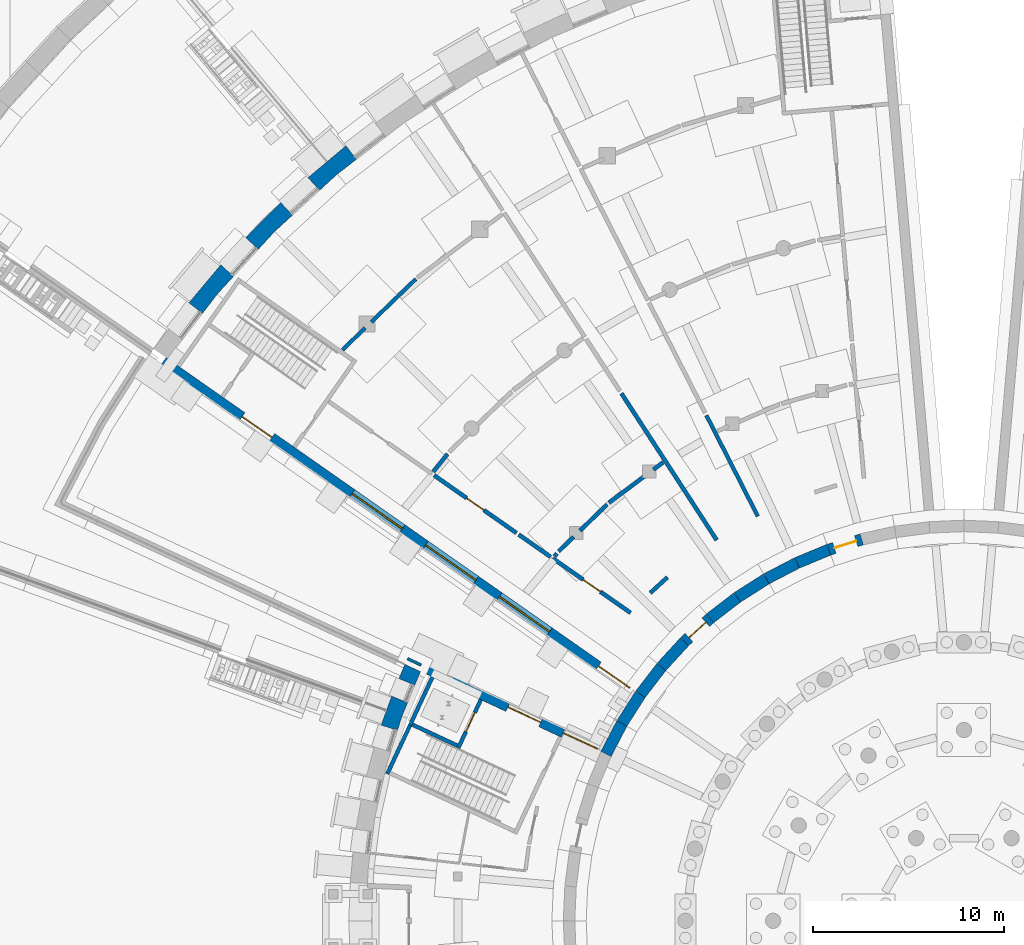
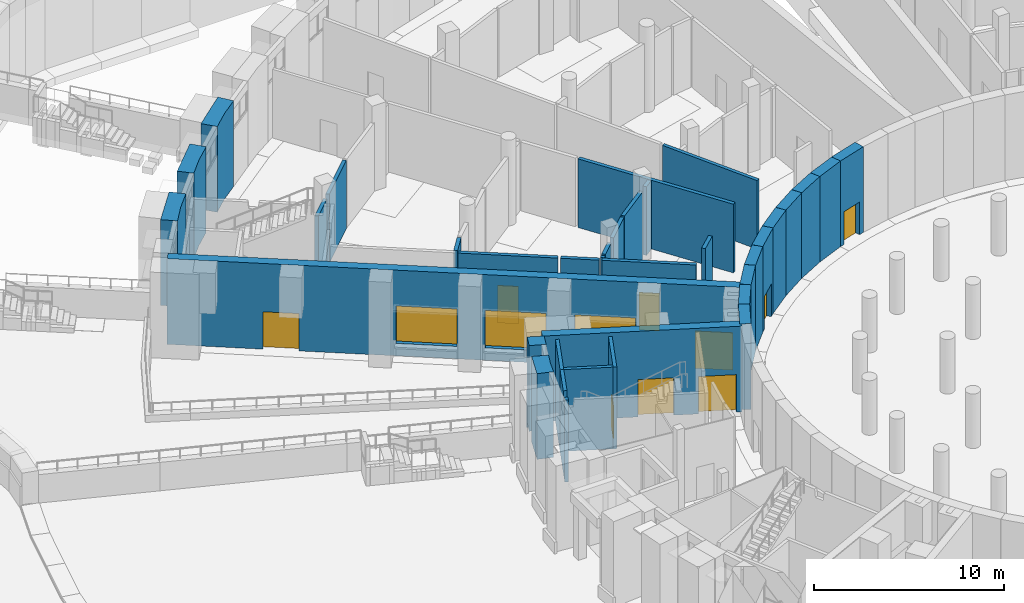
# One storey, part 44 of 65: 36 walls, 9 doors, 3 windows, 12 openings.
"""IFC4 building model written with IfcOpenShell, lengths in metres."""

import ifcopenshell
import ifcopenshell.guid

model = None  # the IFC model being written
_history = None  # IfcOwnerHistory: only IFC2X3 demands one
_inside = {}  # id of a spatial element -> (the spatial element, [elements in it])
_under = {}  # id of a project, library or spatial element -> (it, [spatial elements below it])
_declared = {}  # id of a project -> (the project, [libraries it declares])
_typed = {}  # id of a type object -> (the type object, [elements of that type])
_made_of = {}  # id of a material, layer set ... -> (it, [elements and type objects made of it])


def new_model(schema):
    """Start an empty IFC model of exactly this schema.

    Asked for "IFC4X3", IfcOpenShell would pick the latest addendum, in which some entities
    have other attributes; the version numbers below select the first issue.
    IFC2X3 requires an IfcOwnerHistory on every rooted entity: one is made here for all.
    """
    global model, _history
    if schema == "IFC4X3":
        model = ifcopenshell.file(schema_version=(4, 3, 0, 0))
    else:
        model = ifcopenshell.file(schema=schema)
    _inside.clear()
    _under.clear()
    _declared.clear()
    _typed.clear()
    _made_of.clear()
    _history = None
    if model.schema == "IFC2X3":
        org = make("IfcOrganization", Name="unknown")
        user = make(
            "IfcPersonAndOrganization",
            ThePerson=make("IfcPerson", FamilyName="unknown"),
            TheOrganization=org,
        )
        app = make(
            "IfcApplication",
            ApplicationDeveloper=org,
            Version="unknown",
            ApplicationFullName="unknown",
            ApplicationIdentifier="unknown",
        )
        _history = make(
            "IfcOwnerHistory",
            OwningUser=user,
            OwningApplication=app,
            ChangeAction="ADDED",
            CreationDate=0,
        )
    return model


def make(cls, **values):
    """One entity of the class cls with the attributes given. An attribute that is None is left unset."""
    return model.create_entity(
        cls, **{name: value for name, value in values.items() if value is not None}
    )


def rooted(cls, **values):
    """An entity with a GlobalId (a new one), such as an element, a storey or a relation."""
    return make(cls, GlobalId=ifcopenshell.guid.new(), OwnerHistory=_history, **values)


def si_unit(unit_type, name, prefix=None):
    """IfcSIUnit, for example si_unit("LENGTHUNIT", "METRE", prefix="MILLI")."""
    return make("IfcSIUnit", UnitType=unit_type, Prefix=prefix, Name=name)


def assignment(units):
    """IfcUnitAssignment: the units of a project."""
    return None if units is None else make("IfcUnitAssignment", Units=units)


def point(xyz):
    """IfcCartesianPoint."""
    return None if xyz is None else make("IfcCartesianPoint", Coordinates=xyz)


def direction(xyz):
    """IfcDirection."""
    return None if xyz is None else make("IfcDirection", DirectionRatios=xyz)


def frame(location, z_axis=None, x_axis=None):
    """IfcAxis2Placement3D, a coordinate frame: its origin and axes. An axis left out is left unset."""
    return make(
        "IfcAxis2Placement3D",
        Location=point(location),
        Axis=direction(z_axis),
        RefDirection=direction(x_axis),
    )


def frame_2d(location, x_axis=None):
    """IfcAxis2Placement2D, a coordinate frame in the plane: its origin and x axis."""
    return make(
        "IfcAxis2Placement2D", Location=point(location), RefDirection=direction(x_axis)
    )


def origin():
    """The frame at (0, 0, 0) with its axes left unset."""
    return frame((0.0, 0.0, 0.0))


def place(relative_to, where):
    """IfcLocalPlacement: puts the frame where relative to a parent placement (None: the world)."""
    return make(
        "IfcLocalPlacement", PlacementRelTo=relative_to, RelativePlacement=where
    )


def context(
    kind, dimensions, precision=None, world=None, true_north=None, identifier=None
):
    """IfcGeometricRepresentationContext, for example the 3D "Model" context."""
    return make(
        "IfcGeometricRepresentationContext",
        ContextIdentifier=identifier,
        ContextType=kind,
        CoordinateSpaceDimension=dimensions,
        Precision=precision,
        WorldCoordinateSystem=world,
        TrueNorth=true_north,
    )


def subcontext(parent, identifier, kind, view, scale=None):
    """IfcGeometricRepresentationSubContext, for example "Body" below "Model"."""
    return make(
        "IfcGeometricRepresentationSubContext",
        ContextIdentifier=identifier,
        ContextType=kind,
        ParentContext=parent,
        TargetScale=scale,
        TargetView=view,
    )


def project(units=None, contexts=None):
    """IfcProject with its units and contexts."""
    return rooted(
        "IfcProject",
        Name="project",
        RepresentationContexts=contexts,
        UnitsInContext=assignment(units),
    )


def spatial(cls, under=None, at=None, **own):
    """A site, building, storey or space (cls), placed at a placement, below another one or the project."""
    s = rooted(cls, ObjectPlacement=at, **own)
    if under is not None:
        _under.setdefault(under.id(), (under, []))[1].append(s)
    return s


def polyline(points):
    """IfcPolyline through the points."""
    return make("IfcPolyline", Points=[point(p) for p in points])


def profile(cls, at=None, kind="AREA", **sizes):
    """A parametric profile (cls). Its sizes go by their IFC names, for example OverallWidth=200.0."""
    return make(cls, ProfileType=kind, Position=at, **sizes)


def rectangle(**sizes):
    """IfcRectangleProfileDef."""
    return profile("IfcRectangleProfileDef", **sizes)


def outline(outer, holes=None, kind="AREA"):
    """IfcArbitraryClosedProfileDef: a profile drawn as a closed curve; with holes, ...WithVoids."""
    if holes is None:
        return make("IfcArbitraryClosedProfileDef", ProfileType=kind, OuterCurve=outer)
    return make(
        "IfcArbitraryProfileDefWithVoids",
        ProfileType=kind,
        OuterCurve=outer,
        InnerCurves=holes,
    )


def extrude(swept, where, along, depth):
    """IfcExtrudedAreaSolid: the profile swept, set in the frame where, extruded along a direction by depth."""
    return make(
        "IfcExtrudedAreaSolid",
        SweptArea=swept,
        Position=where,
        ExtrudedDirection=direction(along),
        Depth=depth,
    )


def shape(context_of_items, identifier, shape_type, items):
    """IfcShapeRepresentation: the items that make up one representation, for example the "Body"."""
    return make(
        "IfcShapeRepresentation",
        ContextOfItems=context_of_items,
        RepresentationIdentifier=identifier,
        RepresentationType=shape_type,
        Items=items,
    )


def material(Name=None, Category=None):
    """IfcMaterial."""
    return make("IfcMaterial", Name=Name, Category=Category)


def layer(
    of_material, thickness, ventilated=None, Name=None, Category=None, Priority=None
):
    """IfcMaterialLayer: one layer of a wall or slab, of a material (None: an air gap)."""
    return make(
        "IfcMaterialLayer",
        Material=of_material,
        LayerThickness=thickness,
        IsVentilated=ventilated,
        Name=Name,
        Category=Category,
        Priority=Priority,
    )


def layer_set(layers, Name=None):
    """IfcMaterialLayerSet."""
    return make("IfcMaterialLayerSet", MaterialLayers=layers, LayerSetName=Name)


def made_of(thing, what):
    """Note that an element or type object is made of a material, layer set ...; save() writes the relation."""
    if what is not None:
        _made_of.setdefault(what.id(), (what, []))[1].append(thing)
    return thing


def type_object(cls, material=None, **own):
    """A type object (cls), such as IfcWallType, which elements share."""
    return made_of(rooted(cls, **own), material)


def element(
    cls,
    number,
    at=None,
    inside=None,
    cuts=None,
    type_object=None,
    material=None,
    context=None,
    identifier="Body",
    shape_type=None,
    held_by="IfcProductDefinitionShape",
    body=None,
    shapes=None,
    **own,
):
    """One element of the class cls, such as IfcWall. Its Tag is "e" and its number.

    at: its placement. inside: the storey or other place that contains it. cuts: it is an
    opening in that element (IfcRelVoidsElement). A single representation is given by context,
    identifier, shape_type and body (its items); several are given by shapes. held_by: the class
    of the entity that holds the representations. save() writes the other relations.
    """
    e = rooted(cls, Tag="e%d" % number, ObjectPlacement=at, **own)
    if body is not None:
        shapes = [shape(context, identifier, shape_type, body)]
    if shapes is not None:
        e.Representation = make(held_by, Representations=shapes)
    if inside is not None:
        _inside.setdefault(inside.id(), (inside, []))[1].append(e)
    if cuts is not None:
        rooted(
            "IfcRelVoidsElement", RelatingBuildingElement=cuts, RelatedOpeningElement=e
        )
    if type_object is not None:
        _typed.setdefault(type_object.id(), (type_object, []))[1].append(e)
    return made_of(e, material)


def fill(opening, filler):
    """IfcRelFillsElement: the door or window that sits in an opening."""
    return rooted(
        "IfcRelFillsElement",
        RelatingOpeningElement=opening,
        RelatedBuildingElement=filler,
    )


def aggregate(whole, parts):
    """IfcRelAggregates: a whole, such as a stair, and the parts it consists of."""
    return rooted("IfcRelAggregates", RelatingObject=whole, RelatedObjects=parts)


def save(model, path):
    """Write the relations noted so far, then the file.

    IfcRelAggregates (storeys below a building ...), IfcRelContainedInSpatialStructure (elements
    in a storey), IfcRelDefinesByType, IfcRelAssociatesMaterial and IfcRelDeclares: one each for
    every whole, place, type object, material and project.
    """
    for whole, parts in _under.values():
        aggregate(whole, parts)
    for where, things in _inside.values():
        rooted(
            "IfcRelContainedInSpatialStructure",
            RelatedElements=things,
            RelatingStructure=where,
        )
    for kind, things in _typed.values():
        rooted("IfcRelDefinesByType", RelatedObjects=things, RelatingType=kind)
    for what, things in _made_of.values():
        rooted("IfcRelAssociatesMaterial", RelatedObjects=things, RelatingMaterial=what)
    for by, libraries in _declared.values():
        rooted("IfcRelDeclares", RelatingContext=by, RelatedDefinitions=libraries)
    model.write(path)


model = new_model("IFC4")

# Units and contexts
model_context = context("Model", 3, precision=1e-05, world=origin(), true_north=direction((0.0, 1.0)))
body_context = subcontext(model_context, "Body", "Model", "MODEL_VIEW")
ifc_project = project(units=[si_unit("LENGTHUNIT", "METRE"), si_unit("AREAUNIT", "SQUARE_METRE"), si_unit("VOLUMEUNIT", "CUBIC_METRE"), si_unit("PLANEANGLEUNIT", "RADIAN"), si_unit("MASSUNIT", "GRAM", prefix="KILO")], contexts=[model_context])

# Site, building, storey
site_placement = place(None, origin())
site = spatial("IfcSite", under=ifc_project, at=site_placement, CompositionType="ELEMENT")
building_placement = place(site_placement, origin())
building = spatial("IfcBuilding", under=site, at=building_placement, Name="Volute Hill Aquarium", CompositionType="ELEMENT")
storey_placement = place(building_placement, frame((0.0, 0.0, -5.5)))
storey = spatial("IfcBuildingStorey", under=building, at=storey_placement, Name="L00", CompositionType="ELEMENT", Elevation=-5.5)

# Wall
ifc_material_1 = material(Name="Concrete C30/37", Category="concrete")
ifc_layer_1 = layer(ifc_material_1, 0.199951171875)
ifc_layer_set_1 = layer_set([ifc_layer_1], Name="Core wall 200 REI 60")
wall_type_1 = type_object("IfcWallType", Name="Core wall 200 REI 60", PredefinedType="SHEAR", material=ifc_layer_set_1)
wall_1_placement = place(storey_placement, frame((-29.046142578125, 10.234375, 0.0), z_axis=(0.0, 0.0, 1.0), x_axis=(-0.422632457081, -0.906301167505, 0.0)))
element("IfcWall", 1, at=wall_1_placement, inside=storey, type_object=wall_type_1, Name="wc/S1-A/L00/out-b", PredefinedType="SHEAR", context=body_context, shape_type="SweptSolid", body=[
    extrude(outline(polyline([(0.0, 0.0), (2.800048828125, 0.0), (2.7998046875, 5.25), (2.533935546875, 5.25), (2.48388671875, 4.780029296875), (1.98388671875, 4.780029296875), (1.933837890625, 5.25), (0.0, 5.25), (0.0, 0.0)])), frame((0.0, 0.10009765625, 0.0), z_axis=(0.0, -1.0, 0.0), x_axis=(1.0, 0.0, 0.0)), (0.0, 0.0, 1.0), 0.199951171875),
])

# Wall, opening, door
ifc_material_2 = material(Name="Concrete C35/45", Category="concrete")
ifc_layer_2 = layer(ifc_material_2, 0.60009765625)
ifc_layer_set_2 = layer_set([ifc_layer_2], Name="Drum wall C35/45 600")
wall_type_2 = type_object("IfcWallType", Name="Drum wall C35/45 600", PredefinedType="SHEAR", material=ifc_layer_set_2)
wall_2_placement = place(storey_placement, frame((-5.357666015625, 19.99462890625, 0.0), z_axis=(0.0, 0.0, 1.0), x_axis=(-0.953721512733, -0.300691330354, 0.0)))
wall_2 = element("IfcWall", 2, at=wall_2_placement, inside=storey, type_object=wall_type_2, Name="sw/DR/L00/21", PredefinedType="SHEAR", context=body_context, shape_type="SweptSolid", body=[
    extrude(rectangle(XDim=1.8056640625, YDim=0.60009765625, at=frame_2d((0.90283203125, 0.0))), origin(), (0.0, 0.0, 1.0), 5.5),
])
opening_1_placement = place(wall_2_placement, frame((0.302978515625, 0.0, 0.0)))
opening_1 = element("IfcOpeningElement", 3, at=opening_1_placement, cuts=wall_2, Name="Opening D6.00.R1", PredefinedType="OPENING", context=body_context, shape_type="SweptSolid", body=[
    extrude(rectangle(XDim=1.199951171875, YDim=2.10009765625, at=frame_2d((0.60009765625, 1.050048828125))), frame((0.0, 0.31005859375, 0.0), z_axis=(0.0, -1.0, 0.0), x_axis=(1.0, 0.0, 0.0)), (0.0, 0.0, 1.0), 0.6201171875),
])
ifc_material_3 = material(Name="Timber, fire-rated", Category="wood")
door_type_1 = type_object("IfcDoorType", Name="Door 1200 x 2100 drum double EI1 30", OperationType="DOUBLE_DOOR_SINGLE_SWING", PredefinedType="DOOR", material=ifc_material_3)
door_1_placement = place(opening_1_placement, origin())
door_1 = element("IfcDoor", 4, at=door_1_placement, inside=storey, type_object=door_type_1, Name="d/S6/L00/dr1", OperationType="SINGLE_SWING_LEFT", OverallHeight=2.10009765625, OverallWidth=1.199951171875, PredefinedType="DOOR", context=body_context, shape_type="SweptSolid", body=[
    extrude(rectangle(XDim=1.199951171875, YDim=2.10009765625, at=frame_2d((0.60009765625, 1.050048828125))), frame((0.0, 0.02490234375, 0.0), z_axis=(0.0, -1.0, 0.0), x_axis=(1.0, 0.0, 0.0)), (0.0, 0.0, 1.0), 0.050048828125),
])
fill(opening_1, door_1)

# Walls
for number, where, z_axis, x_axis, name in (
    (5, (-7.079833984375, 19.45166015625, 0.0), (0.0, 0.0, 1.0), (-0.923866889322, -0.382713954298, 0.0), "sw/DR/L00/22"),
    (6, (-8.748291015625, 18.760498046875, 0.0), (0.0, 0.0, 1.0), (-0.887035219654, -0.461701764231, 0.0), "sw/DR/L00/23"),
    (7, (-10.35009765625, 17.9267578125, 0.0), (0.0, 0.0, 1.0), (-0.843332890803, -0.537391510251, 0.0), "sw/DR/L00/24"),
):
    element("IfcWall", number, at=place(storey_placement, frame(where, z_axis=z_axis, x_axis=x_axis)), inside=storey, type_object=wall_type_2, Name=name, PredefinedType="SHEAR", context=body_context, shape_type="SweptSolid", body=[
        extrude(rectangle(XDim=1.805908203125, YDim=0.60009765625, at=frame_2d((0.90283203125, 0.0))), origin(), (0.0, 0.0, 1.0), 5.5),
    ])
wall_3_placement = place(storey_placement, frame((-11.873046875, 16.956298828125, 0.0), z_axis=(0.0, 0.0, 1.0), x_axis=(-0.793397400526, -0.608704004289, 0.0)))
element("IfcWall", 8, at=wall_3_placement, inside=storey, type_object=wall_type_2, Name="sw/DR/L00/25", PredefinedType="SHEAR", context=body_context, shape_type="SweptSolid", body=[
    extrude(rectangle(XDim=1.8056640625, YDim=0.60009765625, at=frame_2d((0.90283203125, 0.0))), origin(), (0.0, 0.0, 1.0), 5.5),
])

# Wall, opening, door
wall_4_placement = place(storey_placement, frame((-13.3056640625, 15.857177734375, 0.0), z_axis=(0.0, 0.0, 1.0), x_axis=(-0.737322466268, -0.675540954152, 0.0)))
wall_4 = element("IfcWall", 9, at=wall_4_placement, inside=storey, type_object=wall_type_2, Name="sw/DR/L00/26", PredefinedType="SHEAR", context=body_context, shape_type="SweptSolid", body=[
    extrude(rectangle(XDim=1.805908203125, YDim=0.60009765625, at=frame_2d((0.90283203125, 0.0))), origin(), (0.0, 0.0, 1.0), 5.5),
])
opening_2_placement = place(wall_4_placement, frame((0.302978515625, 0.0, 0.0)))
opening_2 = element("IfcOpeningElement", 10, at=opening_2_placement, cuts=wall_4, Name="Opening D6.00.R2", PredefinedType="OPENING", context=body_context, shape_type="SweptSolid", body=[
    extrude(rectangle(XDim=1.199951171875, YDim=2.10009765625, at=frame_2d((0.60009765625, 1.050048828125))), frame((0.0, 0.31005859375, 0.0), z_axis=(0.0, -1.0, 0.0), x_axis=(1.0, 0.0, 0.0)), (0.0, 0.0, 1.0), 0.6201171875),
])
door_2_placement = place(opening_2_placement, origin())
door_2 = element("IfcDoor", 11, at=door_2_placement, inside=storey, type_object=door_type_1, Name="d/S6/L00/dr2", OperationType="SINGLE_SWING_LEFT", OverallHeight=2.10009765625, OverallWidth=1.199951171875, PredefinedType="DOOR", context=body_context, shape_type="SweptSolid", body=[
    extrude(rectangle(XDim=1.199951171875, YDim=2.10009765625, at=frame_2d((0.60009765625, 1.050048828125))), frame((0.0, 0.02490234375, 0.0), z_axis=(0.0, -1.0, 0.0), x_axis=(1.0, 0.0, 0.0)), (0.0, 0.0, 1.0), 0.050048828125),
])
fill(opening_2, door_2)

# Walls
wall_5_placement = place(storey_placement, frame((-14.63720703125, 14.63720703125, 0.0), z_axis=(0.0, 0.0, 1.0), x_axis=(-0.675540954152, -0.737322466268, 0.0)))
element("IfcWall", 12, at=wall_5_placement, inside=storey, type_object=wall_type_2, Name="sw/DR/L00/27", PredefinedType="SHEAR", context=body_context, shape_type="SweptSolid", body=[
    extrude(rectangle(XDim=1.805908203125, YDim=0.60009765625, at=frame_2d((0.90283203125, 0.0))), origin(), (0.0, 0.0, 1.0), 5.5),
])
wall_6_placement = place(storey_placement, frame((-15.857177734375, 13.3056640625, 0.0), z_axis=(0.0, 0.0, 1.0), x_axis=(-0.608704004289, -0.793397400526, 0.0)))
element("IfcWall", 13, at=wall_6_placement, inside=storey, type_object=wall_type_2, Name="sw/DR/L00/28", PredefinedType="SHEAR", context=body_context, shape_type="SweptSolid", body=[
    extrude(rectangle(XDim=1.8056640625, YDim=0.60009765625, at=frame_2d((0.90283203125, 0.0))), origin(), (0.0, 0.0, 1.0), 5.5),
])
for number, where, z_axis, x_axis, name in (
    (14, (-16.956298828125, 11.873046875, 0.0), (0.0, 0.0, 1.0), (-0.537391510251, -0.843332890803, 0.0), "sw/DR/L00/29"),
    (15, (-17.9267578125, 10.35009765625, 0.0), (0.0, 0.0, 1.0), (-0.461701764231, -0.887035219654, 0.0), "sw/DR/L00/30"),
):
    element("IfcWall", number, at=place(storey_placement, frame(where, z_axis=z_axis, x_axis=x_axis)), inside=storey, type_object=wall_type_2, Name=name, PredefinedType="SHEAR", context=body_context, shape_type="SweptSolid", body=[
        extrude(rectangle(XDim=1.805908203125, YDim=0.60009765625, at=frame_2d((0.90283203125, 0.0))), origin(), (0.0, 0.0, 1.0), 5.5),
    ])

# Wall, openings, doors
ifc_material_4 = material(Name="Concrete C35/45", Category="concrete")
ifc_layer_3 = layer(ifc_material_4, 0.5)
ifc_layer_set_3 = layer_set([ifc_layer_3], Name="End wall 500 C35/45")
wall_type_3 = type_object("IfcWallType", Name="End wall 500 C35/45", PredefinedType="SHEAR", material=ifc_layer_set_3)
wall_7_placement = place(storey_placement, frame((-18.920654296875, 8.8779296875, 0.0), z_axis=(0.0, 0.0, 1.0), x_axis=(-0.90630311696, 0.422628276607, 0.0)))
wall_7 = element("IfcWall", 16, at=wall_7_placement, inside=storey, type_object=wall_type_3, Name="sw/S1/L00/endA", PredefinedType="SHEAR", context=body_context, shape_type="SweptSolid", body=[
    extrude(rectangle(XDim=10.550048828125, YDim=0.5, at=frame_2d((5.27490234375, 0.0))), origin(), (0.0, 0.0, 1.0), 5.5),
])
opening_3_placement = place(wall_7_placement, frame((3.60009765625, 0.0, 0.0)))
opening_3 = element("IfcOpeningElement", 17, at=opening_3_placement, cuts=wall_7, Name="Opening D1.00.AX", PredefinedType="OPENING", context=body_context, shape_type="SweptSolid", body=[
    extrude(rectangle(XDim=1.89990234375, YDim=2.39990234375, at=frame_2d((0.949951171875, 1.199951171875))), frame((0.0, 0.260009765625, 0.0), z_axis=(0.0, -1.0, 0.0), x_axis=(1.0, 0.0, 0.0)), (0.0, 0.0, 1.0), 0.52001953125),
])
opening_4_placement = place(wall_7_placement, frame((0.300048828125, 0.0, 0.0)))
opening_4 = element("IfcOpeningElement", 18, at=opening_4_placement, cuts=wall_7, Name="Opening DX.S1.A", PredefinedType="OPENING", context=body_context, shape_type="SweptSolid", body=[
    extrude(rectangle(XDim=2.0, YDim=2.39990234375, at=frame_2d((1.0, 1.199951171875))), frame((0.0, 0.260009765625, 0.0), z_axis=(0.0, -1.0, 0.0), x_axis=(1.0, 0.0, 0.0)), (0.0, 0.0, 1.0), 0.52001953125),
])
ifc_material_5 = material(Name="Steel, fire-rated", Category="steel")
door_type_2 = type_object("IfcDoorType", Name="Door 1900 x 2400 stair exit double EI1 30", OperationType="DOUBLE_DOOR_SINGLE_SWING", PredefinedType="DOOR", material=ifc_material_5)
door_3_placement = place(opening_3_placement, origin())
door_3 = element("IfcDoor", 19, at=door_3_placement, inside=storey, type_object=door_type_2, Name="d/S1-A/L00/ex", OperationType="SINGLE_SWING_LEFT", OverallHeight=2.39990234375, OverallWidth=1.89990234375, PredefinedType="DOOR", context=body_context, shape_type="SweptSolid", body=[
    extrude(rectangle(XDim=1.89990234375, YDim=2.39990234375, at=frame_2d((0.949951171875, 1.199951171875))), frame((0.0, 0.02490234375, 0.0), z_axis=(0.0, -1.0, 0.0), x_axis=(1.0, 0.0, 0.0)), (0.0, 0.0, 1.0), 0.050048828125),
])
fill(opening_3, door_3)
ifc_material_6 = material(Name="Steel, fire-rated", Category="steel")
door_type_3 = type_object("IfcDoorType", Name="Door 2000 x 2400 corridor exit double EI1 30", OperationType="DOUBLE_DOOR_SINGLE_SWING", PredefinedType="DOOR", material=ifc_material_6)
door_4_placement = place(opening_4_placement, origin())
door_4 = element("IfcDoor", 20, at=door_4_placement, inside=storey, type_object=door_type_3, Name="d/S1/L00/xcA", OperationType="SINGLE_SWING_LEFT", OverallHeight=2.39990234375, OverallWidth=2.0, PredefinedType="DOOR", context=body_context, shape_type="SweptSolid", body=[
    extrude(rectangle(XDim=2.0, YDim=2.39990234375, at=frame_2d((1.0, 1.199951171875))), frame((0.0, 0.02490234375, 0.0), z_axis=(0.0, -1.0, 0.0), x_axis=(1.0, 0.0, 0.0)), (0.0, 0.0, 1.0), 0.050048828125),
])
fill(opening_4, door_4)

# Wall, openings, doors, windows
wall_8_placement = place(storey_placement, frame((-17.14892578125, 11.94677734375, 0.0), z_axis=(0.0, 0.0, 1.0), x_axis=(-0.81915166255, 0.57357698153, 0.0)))
wall_8 = element("IfcWall", 21, at=wall_8_placement, inside=storey, type_object=wall_type_3, Name="sw/S6/L00/endB", PredefinedType="SHEAR", context=body_context, shape_type="SweptSolid", body=[
    extrude(rectangle(XDim=30.300048828125, YDim=0.5, at=frame_2d((15.14990234375, 0.0))), origin(), (0.0, 0.0, 1.0), 5.5),
])
opening_5_placement = place(wall_8_placement, frame((5.583251953125, 0.0, 0.800048828125)))
opening_5 = element("IfcOpeningElement", 22, at=opening_5_placement, cuts=wall_8, Name="Opening W15", PredefinedType="OPENING", context=body_context, shape_type="SweptSolid", body=[
    extrude(rectangle(XDim=3.21337890625, YDim=2.39990234375, at=frame_2d((1.606689453125, 1.199951171875))), frame((0.0, 0.260009765625, 0.0), z_axis=(0.0, -1.0, 0.0), x_axis=(1.0, 0.0, 0.0)), (0.0, 0.0, 1.0), 0.52001953125),
])
opening_6_placement = place(wall_8_placement, frame((10.296630859375, 0.0, 0.800048828125)))
opening_6 = element("IfcOpeningElement", 23, at=opening_6_placement, cuts=wall_8, Name="Opening W15", PredefinedType="OPENING", context=body_context, shape_type="SweptSolid", body=[
    extrude(rectangle(XDim=3.21337890625, YDim=2.39990234375, at=frame_2d((1.606689453125, 1.199951171875))), frame((0.0, 0.260009765625, 0.0), z_axis=(0.0, -1.0, 0.0), x_axis=(1.0, 0.0, 0.0)), (0.0, 0.0, 1.0), 0.52001953125),
])
opening_7_placement = place(wall_8_placement, frame((15.010009765625, 0.0, 0.800048828125)))
opening_7 = element("IfcOpeningElement", 24, at=opening_7_placement, cuts=wall_8, Name="Opening W15", PredefinedType="OPENING", context=body_context, shape_type="SweptSolid", body=[
    extrude(rectangle(XDim=3.21337890625, YDim=2.39990234375, at=frame_2d((1.606689453125, 1.199951171875))), frame((0.0, 0.260009765625, 0.0), z_axis=(0.0, -1.0, 0.0), x_axis=(1.0, 0.0, 0.0)), (0.0, 0.0, 1.0), 0.52001953125),
])
opening_8_placement = place(wall_8_placement, frame((23.35009765625, 0.0, 0.0)))
opening_8 = element("IfcOpeningElement", 25, at=opening_8_placement, cuts=wall_8, Name="Opening D6.00.BX", PredefinedType="OPENING", context=body_context, shape_type="SweptSolid", body=[
    extrude(rectangle(XDim=1.89990234375, YDim=2.39990234375, at=frame_2d((0.949951171875, 1.199951171875))), frame((0.0, 0.260009765625, 0.0), z_axis=(0.0, -1.0, 0.0), x_axis=(1.0, 0.0, 0.0)), (0.0, 0.0, 1.0), 0.52001953125),
])
opening_9_placement = place(wall_8_placement, frame((0.449951171875, 0.0, 0.0)))
opening_9 = element("IfcOpeningElement", 26, at=opening_9_placement, cuts=wall_8, Name="Opening DX.S6.B", PredefinedType="OPENING", context=body_context, shape_type="SweptSolid", body=[
    extrude(rectangle(XDim=2.0, YDim=2.39990234375, at=frame_2d((1.0, 1.199951171875))), frame((0.0, 0.260009765625, 0.0), z_axis=(0.0, -1.0, 0.0), x_axis=(1.0, 0.0, 0.0)), (0.0, 0.0, 1.0), 0.52001953125),
])
door_5_placement = place(opening_8_placement, origin())
door_5 = element("IfcDoor", 27, at=door_5_placement, inside=storey, type_object=door_type_2, Name="d/S6-B/L00/ex", OperationType="SINGLE_SWING_LEFT", OverallHeight=2.39990234375, OverallWidth=1.89990234375, PredefinedType="DOOR", context=body_context, shape_type="SweptSolid", body=[
    extrude(rectangle(XDim=1.89990234375, YDim=2.39990234375, at=frame_2d((0.949951171875, 1.199951171875))), frame((0.0, 0.02490234375, 0.0), z_axis=(0.0, -1.0, 0.0), x_axis=(1.0, 0.0, 0.0)), (0.0, 0.0, 1.0), 0.050048828125),
])
fill(opening_8, door_5)
door_6_placement = place(opening_9_placement, origin())
door_6 = element("IfcDoor", 28, at=door_6_placement, inside=storey, type_object=door_type_3, Name="d/S6/L00/xcB", OperationType="SINGLE_SWING_LEFT", OverallHeight=2.39990234375, OverallWidth=2.0, PredefinedType="DOOR", context=body_context, shape_type="SweptSolid", body=[
    extrude(rectangle(XDim=2.0, YDim=2.39990234375, at=frame_2d((1.0, 1.199951171875))), frame((0.0, 0.02490234375, 0.0), z_axis=(0.0, -1.0, 0.0), x_axis=(1.0, 0.0, 0.0)), (0.0, 0.0, 1.0), 0.050048828125),
])
fill(opening_9, door_6)
ifc_material_7 = material(Name="Aluminium and glass", Category="aluminium")
window_type = type_object("IfcWindowType", Name="End wall window 3213x2400", PartitioningType="SINGLE_PANEL", PredefinedType="WINDOW", material=ifc_material_7)
window_1_placement = place(opening_5_placement, origin())
window_1 = element("IfcWindow", 29, at=window_1_placement, inside=storey, type_object=window_type, Name="End wall window S6B L00 2.1", OverallHeight=2.39990234375, OverallWidth=3.21337890625, PartitioningType="SINGLE_PANEL", PredefinedType="WINDOW", context=body_context, shape_type="SweptSolid", body=[
    extrude(rectangle(XDim=3.21337890625, YDim=2.39990234375, at=frame_2d((1.606689453125, 1.199951171875))), frame((0.0, 0.030029296875, 0.0), z_axis=(0.0, -1.0, 0.0), x_axis=(1.0, 0.0, 0.0)), (0.0, 0.0, 1.0), 0.06005859375),
])
fill(opening_5, window_1)
window_2_placement = place(opening_6_placement, origin())
window_2 = element("IfcWindow", 30, at=window_2_placement, inside=storey, type_object=window_type, Name="End wall window S6B L00 3.1", OverallHeight=2.39990234375, OverallWidth=3.21337890625, PartitioningType="SINGLE_PANEL", PredefinedType="WINDOW", context=body_context, shape_type="SweptSolid", body=[
    extrude(rectangle(XDim=3.21337890625, YDim=2.39990234375, at=frame_2d((1.606689453125, 1.199951171875))), frame((0.0, 0.030029296875, 0.0), z_axis=(0.0, -1.0, 0.0), x_axis=(1.0, 0.0, 0.0)), (0.0, 0.0, 1.0), 0.06005859375),
])
fill(opening_6, window_2)
window_3_placement = place(opening_7_placement, origin())
window_3 = element("IfcWindow", 31, at=window_3_placement, inside=storey, type_object=window_type, Name="End wall window S6B L00 4.1", OverallHeight=2.39990234375, OverallWidth=3.21337890625, PartitioningType="SINGLE_PANEL", PredefinedType="WINDOW", context=body_context, shape_type="SweptSolid", body=[
    extrude(rectangle(XDim=3.21337890625, YDim=2.39990234375, at=frame_2d((1.606689453125, 1.199951171875))), frame((0.0, 0.030029296875, 0.0), z_axis=(0.0, -1.0, 0.0), x_axis=(1.0, 0.0, 0.0)), (0.0, 0.0, 1.0), 0.06005859375),
])
fill(opening_7, window_3)

# Walls
ifc_material_8 = material(Name="Masonry blockwork", Category="masonry")
ifc_layer_4 = layer(ifc_material_8, 0.199951171875)
ifc_layer_set_4 = layer_set([ifc_layer_4], Name="Fire partition 200 EI 60")
wall_type_4 = type_object("IfcWallType", Name="Fire partition 200 EI 60", PredefinedType="PARTITIONING", material=ifc_layer_set_4)
wall_9_placement = place(storey_placement, frame((-13.500732421875, 26.496826171875, 0.0), z_axis=(0.0, 0.0, 1.0), x_axis=(0.453992914648, -0.891005293727, 0.0)))
element("IfcWall", 32, at=wall_9_placement, inside=storey, type_object=wall_type_4, Name="pw/S6/L00/009", PredefinedType="PARTITIONING", context=body_context, shape_type="SweptSolid", body=[
    extrude(rectangle(XDim=5.93798828125, YDim=0.199951171875, at=frame_2d((2.968994140625, 0.0))), origin(), (0.0, 0.0, 1.0), 4.409912109375),
])
wall_10_placement = place(storey_placement, frame((-31.069580078125, 31.38525390625, 0.0), z_axis=(0.0, 0.0, 1.0), x_axis=(0.719328913104, 0.694669644344, 0.0)))
element("IfcWall", 33, at=wall_10_placement, inside=storey, type_object=wall_type_4, Name="pw/S6/L00/018", PredefinedType="PARTITIONING", context=body_context, shape_type="SweptSolid", body=[
    extrude(rectangle(XDim=3.247314453125, YDim=0.199951171875, at=frame_2d((1.62353515625, 0.0))), origin(), (0.0, 0.0, 1.0), 4.409912109375),
])
wall_11_placement = place(storey_placement, frame((-32.577880859375, 29.928466796875, 0.0), z_axis=(0.0, 0.0, 1.0), x_axis=(0.719296786021, 0.69470291033, 0.0)))
element("IfcWall", 34, at=wall_11_placement, inside=storey, type_object=wall_type_4, Name="pw/S6/L00/031", PredefinedType="PARTITIONING", context=body_context, shape_type="SweptSolid", body=[
    extrude(rectangle(XDim=1.64794921875, YDim=0.199951171875, at=frame_2d((0.823974609375, 0.0))), origin(), (0.0, 0.0, 1.0), 4.409912109375),
])
ifc_material_9 = material(Name="Precast concrete C40/50", Category="concrete")
ifc_layer_5 = layer(ifc_material_9, 0.89990234375)
ifc_layer_set_5 = layer_set([ifc_layer_5], Name="Outer pier precast concrete C40/50 900")
wall_type_5 = type_object("IfcWallType", Name="Outer pier precast concrete C40/50 900", PredefinedType="NOTDEFINED", material=ifc_layer_set_5)
wall_12_placement = place(storey_placement, origin())
element("IfcWall", 35, at=wall_12_placement, inside=storey, type_object=wall_type_5, Name="Outer pier OWP S1 L00 1", PredefinedType="NOTDEFINED", context=body_context, shape_type="SweptSolid", body=[
    extrude(outline(polyline([(-28.489013671875, 13.06396484375), (-29.305419921875, 13.444580078125), (-29.615478515625, 12.696044921875), (-28.783935546875, 12.3515625), (-28.489013671875, 13.06396484375)])), origin(), (0.0, 0.0, 1.0), 5.5),
])
wall_13_placement = place(storey_placement, origin())
element("IfcWall", 36, at=wall_13_placement, inside=storey, type_object=wall_type_5, Name="Outer pier OWP S1 L00 2", PredefinedType="NOTDEFINED", context=body_context, shape_type="SweptSolid", body=[
    extrude(outline(polyline([(-29.163818359375, 11.4345703125), (-29.995361328125, 11.77880859375), (-30.549072265625, 10.25732421875), (-29.690673828125, 9.98681640625), (-29.458984375, 10.72216796875), (-29.163818359375, 11.4345703125)])), origin(), (0.0, 0.0, 1.0), 5.5),
])
wall_14_placement = place(storey_placement, origin())
element("IfcWall", 37, at=wall_14_placement, inside=storey, type_object=wall_type_5, Name="Outer pier OWP S6 L00 8", PredefinedType="NOTDEFINED", context=body_context, shape_type="SweptSolid", body=[
    extrude(outline(polyline([(-31.844970703125, 39.912841796875), (-32.392822265625, 40.626708984375), (-34.384765625, 38.95556640625), (-33.776611328125, 38.2919921875), (-32.84619140625, 39.14453125), (-31.844970703125, 39.912841796875)])), origin(), (0.0, 0.0, 1.0), 5.5),
])
wall_15_placement = place(storey_placement, origin())
element("IfcWall", 38, at=wall_15_placement, inside=storey, type_object=wall_type_5, Name="Outer pier OWP S6 L00 9", PredefinedType="NOTDEFINED", context=body_context, shape_type="SweptSolid", body=[
    extrude(outline(polyline([(-35.202392578125, 36.985595703125), (-35.810546875, 37.649169921875), (-37.649169921875, 35.810546875), (-36.985595703125, 35.202392578125), (-36.1328125, 36.1328125), (-35.202392578125, 36.985595703125)])), origin(), (0.0, 0.0, 1.0), 5.5),
])
wall_16_placement = place(storey_placement, origin())
element("IfcWall", 39, at=wall_16_placement, inside=storey, type_object=wall_type_5, Name="Outer pier OWP S6 L00 10", PredefinedType="NOTDEFINED", context=body_context, shape_type="SweptSolid", body=[
    extrude(outline(polyline([(-38.2919921875, 33.776611328125), (-38.95556640625, 34.384765625), (-40.626953125, 32.392822265625), (-39.912841796875, 31.844970703125), (-39.14453125, 32.84619140625), (-38.2919921875, 33.776611328125)])), origin(), (0.0, 0.0, 1.0), 5.5),
])
ifc_material_10 = material(Name="Masonry blockwork", Category="masonry")
ifc_layer_6 = layer(ifc_material_10, 0.215087890625)
ifc_layer_set_6 = layer_set([ifc_layer_6], Name="Plant room wall 215 EI 60")
wall_type_6 = type_object("IfcWallType", Name="Plant room wall 215 EI 60", PredefinedType="PARTITIONING", material=ifc_layer_set_6)
wall_17_placement = place(storey_placement, frame((-12.96240234375, 19.96044921875, 0.0), z_axis=(0.0, 0.0, 1.0), x_axis=(-0.544645595922, 0.838666307206, 0.0)))
element("IfcWall", 40, at=wall_17_placement, inside=storey, type_object=wall_type_6, Name="pw/S6/L00/001", PredefinedType="PARTITIONING", context=body_context, shape_type="SweptSolid", body=[
    extrude(rectangle(XDim=9.16455078125, YDim=0.215087890625, at=frame_2d((4.582275390625, 0.0))), origin(), (0.0, 0.0, 1.0), 4.409912109375),
])

# Wall, opening, door
wall_18_placement = place(storey_placement, frame((-27.772705078125, 23.35302734375, 0.0), z_axis=(0.0, 0.0, 1.0), x_axis=(0.819151370893, -0.573577398059, 0.0)))
wall_18 = element("IfcWall", 41, at=wall_18_placement, inside=storey, type_object=wall_type_6, Name="pw/S6/L00/011", PredefinedType="PARTITIONING", context=body_context, shape_type="SweptSolid", body=[
    extrude(rectangle(XDim=5.26904296875, YDim=0.215087890625, at=frame_2d((2.634521484375, 0.0))), origin(), (0.0, 0.0, 1.0), 4.409912109375),
])
opening_10_placement = place(wall_18_placement, frame((2.084716796875, 0.0, 0.0)))
opening_10 = element("IfcOpeningElement", 42, at=opening_10_placement, cuts=wall_18, Name="Opening D6.00.05", PredefinedType="OPENING", context=body_context, shape_type="SweptSolid", body=[
    extrude(rectangle(XDim=1.10009765625, YDim=2.39990234375, at=frame_2d((0.550048828125, 1.199951171875))), frame((0.0, 0.117431640625, 0.0), z_axis=(0.0, -1.0, 0.0), x_axis=(1.0, 0.0, 0.0)), (0.0, 0.0, 1.0), 0.235107421875),
])
ifc_material_11 = material(Name="Steel, fire-rated", Category="steel")
door_type_4 = type_object("IfcDoorType", Name="Door 1100 x 2400 plant room EI1 30", OperationType="SINGLE_SWING_LEFT", PredefinedType="DOOR", material=ifc_material_11)
door_7_placement = place(opening_10_placement, origin())
door_7 = element("IfcDoor", 43, at=door_7_placement, inside=storey, type_object=door_type_4, Name="d/S6/L00/05", OperationType="SINGLE_SWING_LEFT", OverallHeight=2.39990234375, OverallWidth=1.10009765625, PredefinedType="DOOR", context=body_context, shape_type="SweptSolid", body=[
    extrude(rectangle(XDim=1.10009765625, YDim=2.39990234375, at=frame_2d((0.550048828125, 1.199951171875))), frame((0.0, 0.02490234375, 0.0), z_axis=(0.0, -1.0, 0.0), x_axis=(1.0, 0.0, 0.0)), (0.0, 0.0, 1.0), 0.050048828125),
])
fill(opening_10, door_7)

wall_19_placement = place(storey_placement, frame((-21.547119140625, 18.993896484375, 0.0), z_axis=(0.0, 0.0, 1.0), x_axis=(0.819169654263, -0.57355128588, 0.0)))
wall_19 = element("IfcWall", 44, at=wall_19_placement, inside=storey, type_object=wall_type_6, Name="pw/S6/L00/013", PredefinedType="PARTITIONING", context=body_context, shape_type="SweptSolid", body=[
    extrude(rectangle(XDim=4.973876953125, YDim=0.215087890625, at=frame_2d((2.48681640625, 0.0))), origin(), (0.0, 0.0, 1.0), 4.409912109375),
])
opening_11_placement = place(wall_19_placement, frame((1.93701171875, 0.0, 0.0)))
opening_11 = element("IfcOpeningElement", 45, at=opening_11_placement, cuts=wall_19, Name="Opening D6.00.04", PredefinedType="OPENING", context=body_context, shape_type="SweptSolid", body=[
    extrude(rectangle(XDim=1.10009765625, YDim=2.39990234375, at=frame_2d((0.550048828125, 1.199951171875))), frame((0.0, 0.117431640625, 0.0), z_axis=(0.0, -1.0, 0.0), x_axis=(1.0, 0.0, 0.0)), (0.0, 0.0, 1.0), 0.235107421875),
])
door_8_placement = place(opening_11_placement, origin())
door_8 = element("IfcDoor", 46, at=door_8_placement, inside=storey, type_object=door_type_4, Name="d/S6/L00/04", OperationType="SINGLE_SWING_RIGHT", OverallHeight=2.39990234375, OverallWidth=1.10009765625, PredefinedType="DOOR", context=body_context, shape_type="SweptSolid", body=[
    extrude(rectangle(XDim=1.10009765625, YDim=2.39990234375, at=frame_2d((0.550048828125, 1.199951171875))), frame((0.0, 0.02490234375, 0.0), z_axis=(0.0, -1.0, 0.0), x_axis=(1.0, 0.0, 0.0)), (0.0, 0.0, 1.0), 0.050048828125),
])
fill(opening_11, door_8)

# Walls
wall_20_placement = place(storey_placement, frame((-18.60791015625, 21.916015625, 0.0), z_axis=(0.0, 0.0, 1.0), x_axis=(0.802120624252, 0.597162041786, 0.0)))
element("IfcWall", 47, at=wall_20_placement, inside=storey, type_object=wall_type_6, Name="pw/S6/L00/023", PredefinedType="PARTITIONING", context=body_context, shape_type="SweptSolid", body=[
    extrude(rectangle(XDim=2.439453125, YDim=0.215087890625, at=frame_2d((1.2197265625, 0.0))), origin(), (0.0, 0.0, 1.0), 4.409912109375),
])
wall_21_placement = place(storey_placement, frame((-23.333740234375, 20.244873046875, 0.0), z_axis=(0.0, 0.0, 1.0), x_axis=(0.819164141, -0.573559160069, 0.0)))
element("IfcWall", 48, at=wall_21_placement, inside=storey, type_object=wall_type_6, Name="pw/S6/L00/025", PredefinedType="PARTITIONING", context=body_context, shape_type="SweptSolid", body=[
    extrude(rectangle(XDim=2.03076171875, YDim=0.215087890625, at=frame_2d((1.015380859375, 0.0))), origin(), (0.0, 0.0, 1.0), 4.409912109375),
])
wall_22_placement = place(storey_placement, frame((-20.12353515625, 20.452392578125, 0.0), z_axis=(0.0, 0.0, 1.0), x_axis=(0.719395052317, 0.694601150807, 0.0)))
element("IfcWall", 49, at=wall_22_placement, inside=storey, type_object=wall_type_6, Name="pw/S6/L00/027", PredefinedType="PARTITIONING", context=body_context, shape_type="SweptSolid", body=[
    extrude(rectangle(XDim=1.96923828125, YDim=0.215087890625, at=frame_2d((0.984619140625, 0.0))), origin(), (0.0, 0.0, 1.0), 4.409912109375),
])
wall_23_placement = place(storey_placement, frame((-27.814453125, 23.540771484375, 0.0), z_axis=(0.0, 0.0, 1.0), x_axis=(0.624819667535, 0.780769097148, 0.0)))
element("IfcWall", 50, at=wall_23_placement, inside=storey, type_object=wall_type_6, Name="pw/S6/L00/036", PredefinedType="PARTITIONING", context=body_context, shape_type="SweptSolid", body=[
    extrude(rectangle(XDim=1.194580078125, YDim=0.215087890625, at=frame_2d((0.59716796875, 0.0))), origin(), (0.0, 0.0, 1.0), 4.409912109375),
])
wall_24_placement = place(storey_placement, frame((-16.438232421875, 17.187255859375, 0.0), z_axis=(0.0, 0.0, 1.0), x_axis=(0.737279656854, 0.675587675723, 0.0)))
element("IfcWall", 51, at=wall_24_placement, inside=storey, type_object=wall_type_6, Name="pw/S6/L00/039", PredefinedType="PARTITIONING", context=body_context, shape_type="SweptSolid", body=[
    extrude(rectangle(XDim=1.2109375, YDim=0.215087890625, at=frame_2d((0.60546875, 0.0))), origin(), (0.0, 0.0, 1.0), 4.409912109375),
])
wall_25_placement = place(storey_placement, frame((-21.253173828125, 19.361572265625, 0.0), z_axis=(0.0, 0.0, 1.0), x_axis=(0.719390021907, 0.69460636074, 0.0)))
element("IfcWall", 52, at=wall_25_placement, inside=storey, type_object=wall_type_6, Name="pw/S6/L00/042", PredefinedType="PARTITIONING", context=body_context, shape_type="SweptSolid", body=[
    extrude(rectangle(XDim=1.103271484375, YDim=0.215087890625, at=frame_2d((0.5517578125, 0.0))), origin(), (0.0, 0.0, 1.0), 4.409912109375),
])
wall_26_placement = place(storey_placement, frame((-16.27392578125, 23.653564453125, 0.0), z_axis=(0.0, 0.0, 1.0), x_axis=(0.801995698841, 0.597329807595, 0.0)))
element("IfcWall", 53, at=wall_26_placement, inside=storey, type_object=wall_type_6, Name="pw/S6/L00/045", PredefinedType="PARTITIONING", context=body_context, shape_type="SweptSolid", body=[
    extrude(rectangle(XDim=0.6298828125, YDim=0.215087890625, at=frame_2d((0.31494140625, 0.0))), origin(), (0.0, 0.0, 1.0), 4.409912109375),
])
wall_27_placement = place(storey_placement, frame((-21.461181640625, 19.101318359375, 0.0), z_axis=(0.0, 0.0, 1.0), x_axis=(0.624085993272, 0.781355663576, 0.0)))
element("IfcWall", 54, at=wall_27_placement, inside=storey, type_object=wall_type_6, Name="pw/S6/L00/048", PredefinedType="PARTITIONING", context=body_context, shape_type="SweptSolid", body=[
    extrude(rectangle(XDim=0.195556640625, YDim=0.215087890625, at=frame_2d((0.09765625, 0.0))), origin(), (0.0, 0.0, 1.0), 4.409912109375),
])
ifc_material_12 = material(Name="Concrete C30/37", Category="concrete")
ifc_layer_7 = layer(ifc_material_12, 0.39990234375)
ifc_layer_set_7 = layer_set([ifc_layer_7], Name="Retaining wall C30/37 400")
wall_type_7 = type_object("IfcWallType", Name="Retaining wall C30/37 400", PredefinedType="SOLIDWALL", material=ifc_layer_set_7)
wall_28_placement = place(storey_placement, frame((0.0, 0.0, -0.5)))
element("IfcWall", 55, at=wall_28_placement, inside=storey, type_object=wall_type_7, Name="rw/CFA10.4/L00/0", PredefinedType="SOLIDWALL", context=body_context, shape_type="SweptSolid", body=[
    extrude(outline(polyline([(-29.143798828125, 13.810791015625), (-29.207275390625, 13.6748046875), (-28.482177734375, 13.336669921875), (-28.4189453125, 13.47265625), (-29.143798828125, 13.810791015625)])), origin(), (0.0, 0.0, 1.0), 2.324951171875),
])
ifc_material_13 = material(Name="Concrete C30/37", Category="concrete")
ifc_layer_8 = layer(ifc_material_13, 0.199951171875)
ifc_layer_set_8 = layer_set([ifc_layer_8], Name="Shaft wall 200 EI 60")
wall_type_8 = type_object("IfcWallType", Name="Shaft wall 200 EI 60", PredefinedType="SOLIDWALL", material=ifc_layer_set_8)
wall_29_placement = place(storey_placement, frame((-27.86279296875, 12.77197265625, 0.0), z_axis=(0.0, 0.0, 1.0), x_axis=(-0.422632457081, -0.906301167505, 0.0)))
element("IfcWall", 56, at=wall_29_placement, inside=storey, type_object=wall_type_8, Name="wc/S1-A/L00/out-a", PredefinedType="SOLIDWALL", context=body_context, shape_type="SweptSolid", body=[
    extrude(rectangle(XDim=2.800048828125, YDim=0.199951171875, at=frame_2d((1.39990234375, 0.0))), origin(), (0.0, 0.0, 1.0), 5.25),
])

# Wall, opening, door
wall_30_placement = place(storey_placement, frame((-25.3251953125, 11.588623046875, 0.0), z_axis=(0.0, 0.0, 1.0), x_axis=(-0.422632457081, -0.906301167505, 0.0)))
wall_30 = element("IfcWall", 57, at=wall_30_placement, inside=storey, type_object=wall_type_8, Name="wc/S1-A/L00/front", PredefinedType="SOLIDWALL", context=body_context, shape_type="SweptSolid", body=[
    extrude(rectangle(XDim=2.800048828125, YDim=0.199951171875, at=frame_2d((1.39990234375, 0.0))), origin(), (0.0, 0.0, 1.0), 5.25),
])
opening_12_placement = place(wall_30_placement, frame((0.75, 0.0, 0.0)))
opening_12 = element("IfcOpeningElement", 58, at=opening_12_placement, cuts=wall_30, Name="Opening LD1.00.A", PredefinedType="OPENING", context=body_context, shape_type="SweptSolid", body=[
    extrude(rectangle(XDim=1.10009765625, YDim=2.10009765625, at=frame_2d((0.550048828125, 1.050048828125))), frame((0.0, 0.10986328125, 0.0), z_axis=(0.0, -1.0, 0.0), x_axis=(1.0, 0.0, 0.0)), (0.0, 0.0, 1.0), 0.219970703125),
])
ifc_material_14 = material(Name="Stainless steel", Category="steel")
door_type_5 = type_object("IfcDoorType", Name="Lift landing door 1100 x 2100", OperationType="SLIDING_TO_LEFT", PredefinedType="DOOR", material=ifc_material_14)
door_9_placement = place(opening_12_placement, origin())
door_9 = element("IfcDoor", 59, at=door_9_placement, inside=storey, type_object=door_type_5, Name="d/S1-A/L00/ld", OperationType="SLIDING_TO_LEFT", OverallHeight=2.10009765625, OverallWidth=1.10009765625, PredefinedType="DOOR", context=body_context, shape_type="SweptSolid", body=[
    extrude(rectangle(XDim=1.10009765625, YDim=2.10009765625, at=frame_2d((0.550048828125, 1.050048828125))), frame((0.0, 0.02490234375, 0.0), z_axis=(0.0, -1.0, 0.0), x_axis=(1.0, 0.0, 0.0)), (0.0, 0.0, 1.0), 0.050048828125),
])
fill(opening_12, door_9)

# Wall
wall_31_placement = place(storey_placement, frame((-26.556884765625, 9.183837890625, 0.0), z_axis=(0.0, 0.0, 1.0), x_axis=(-0.906300648467, 0.422633570115, 0.0)))
element("IfcWall", 60, at=wall_31_placement, inside=storey, type_object=wall_type_8, Name="wc/S1-A/L00/shaft-side", PredefinedType="SOLIDWALL", context=body_context, shape_type="SweptSolid", body=[
    extrude(rectangle(XDim=2.60009765625, YDim=0.199951171875, at=frame_2d((1.300048828125, 0.0))), origin(), (0.0, 0.0, 1.0), 5.25),
])

save(model, "model.ifc")
